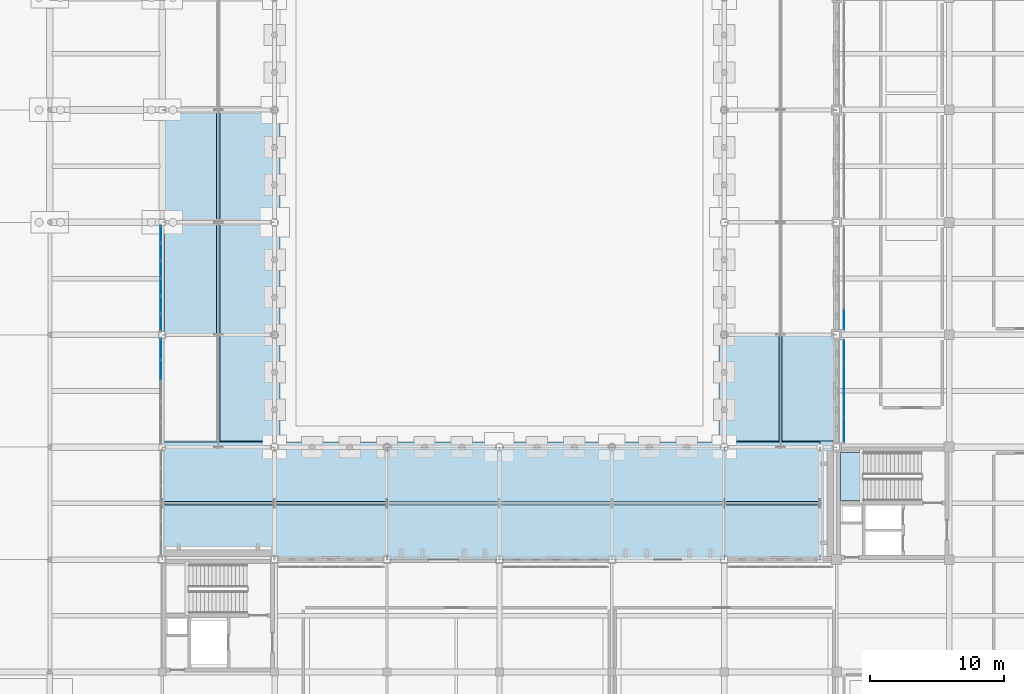
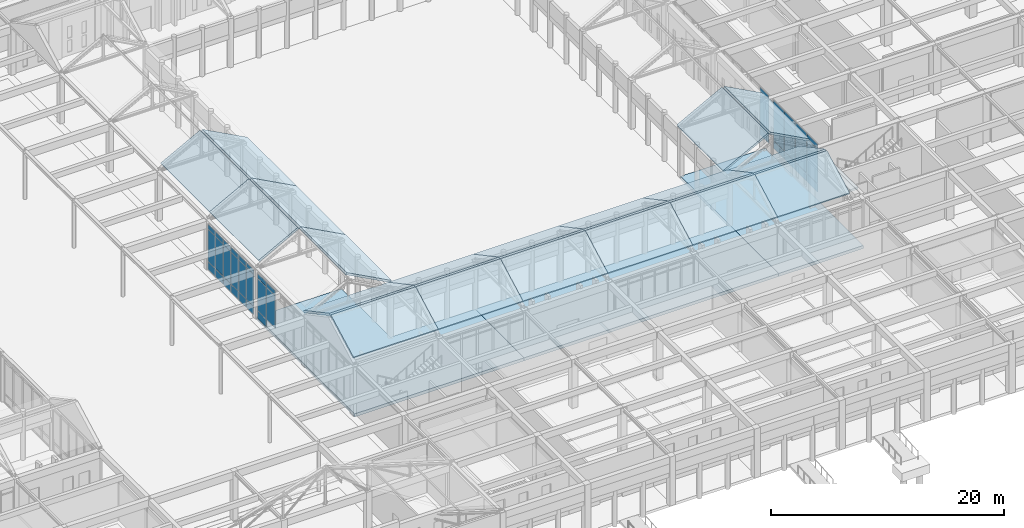
# One storey, part 74 of 143: 38 plates, 23 slabs, 5 elements without a shape of their own.
"""IFC4 building model written with IfcOpenShell, lengths in metres."""

import ifcopenshell
import ifcopenshell.guid

model = None  # the IFC model being written
_history = None  # IfcOwnerHistory: only IFC2X3 demands one
_inside = {}  # id of a spatial element -> (the spatial element, [elements in it])
_under = {}  # id of a project, library or spatial element -> (it, [spatial elements below it])
_declared = {}  # id of a project -> (the project, [libraries it declares])
_typed = {}  # id of a type object -> (the type object, [elements of that type])
_made_of = {}  # id of a material, layer set ... -> (it, [elements and type objects made of it])


def new_model(schema):
    """Start an empty IFC model of exactly this schema.

    Asked for "IFC4X3", IfcOpenShell would pick the latest addendum, in which some entities
    have other attributes; the version numbers below select the first issue.
    IFC2X3 requires an IfcOwnerHistory on every rooted entity: one is made here for all.
    """
    global model, _history
    if schema == "IFC4X3":
        model = ifcopenshell.file(schema_version=(4, 3, 0, 0))
    else:
        model = ifcopenshell.file(schema=schema)
    _inside.clear()
    _under.clear()
    _declared.clear()
    _typed.clear()
    _made_of.clear()
    _history = None
    if model.schema == "IFC2X3":
        org = make("IfcOrganization", Name="unknown")
        user = make(
            "IfcPersonAndOrganization",
            ThePerson=make("IfcPerson", FamilyName="unknown"),
            TheOrganization=org,
        )
        app = make(
            "IfcApplication",
            ApplicationDeveloper=org,
            Version="unknown",
            ApplicationFullName="unknown",
            ApplicationIdentifier="unknown",
        )
        _history = make(
            "IfcOwnerHistory",
            OwningUser=user,
            OwningApplication=app,
            ChangeAction="ADDED",
            CreationDate=0,
        )
    return model


def make(cls, **values):
    """One entity of the class cls with the attributes given. An attribute that is None is left unset."""
    return model.create_entity(
        cls, **{name: value for name, value in values.items() if value is not None}
    )


def rooted(cls, **values):
    """An entity with a GlobalId (a new one), such as an element, a storey or a relation."""
    return make(cls, GlobalId=ifcopenshell.guid.new(), OwnerHistory=_history, **values)


def si_unit(unit_type, name, prefix=None):
    """IfcSIUnit, for example si_unit("LENGTHUNIT", "METRE", prefix="MILLI")."""
    return make("IfcSIUnit", UnitType=unit_type, Prefix=prefix, Name=name)


def assignment(units):
    """IfcUnitAssignment: the units of a project."""
    return None if units is None else make("IfcUnitAssignment", Units=units)


def point(xyz):
    """IfcCartesianPoint."""
    return None if xyz is None else make("IfcCartesianPoint", Coordinates=xyz)


def direction(xyz):
    """IfcDirection."""
    return None if xyz is None else make("IfcDirection", DirectionRatios=xyz)


def frame(location, z_axis=None, x_axis=None):
    """IfcAxis2Placement3D, a coordinate frame: its origin and axes. An axis left out is left unset."""
    return make(
        "IfcAxis2Placement3D",
        Location=point(location),
        Axis=direction(z_axis),
        RefDirection=direction(x_axis),
    )


def frame_2d(location, x_axis=None):
    """IfcAxis2Placement2D, a coordinate frame in the plane: its origin and x axis."""
    return make(
        "IfcAxis2Placement2D", Location=point(location), RefDirection=direction(x_axis)
    )


def origin():
    """The frame at (0, 0, 0) with its axes left unset."""
    return frame((0.0, 0.0, 0.0))


def origin_2d():
    """The frame at (0, 0) in the plane with its x axis left unset."""
    return frame_2d((0.0, 0.0))


def place(relative_to, where):
    """IfcLocalPlacement: puts the frame where relative to a parent placement (None: the world)."""
    return make(
        "IfcLocalPlacement", PlacementRelTo=relative_to, RelativePlacement=where
    )


def context(
    kind, dimensions, precision=None, world=None, true_north=None, identifier=None
):
    """IfcGeometricRepresentationContext, for example the 3D "Model" context."""
    return make(
        "IfcGeometricRepresentationContext",
        ContextIdentifier=identifier,
        ContextType=kind,
        CoordinateSpaceDimension=dimensions,
        Precision=precision,
        WorldCoordinateSystem=world,
        TrueNorth=true_north,
    )


def subcontext(parent, identifier, kind, view, scale=None):
    """IfcGeometricRepresentationSubContext, for example "Body" below "Model"."""
    return make(
        "IfcGeometricRepresentationSubContext",
        ContextIdentifier=identifier,
        ContextType=kind,
        ParentContext=parent,
        TargetScale=scale,
        TargetView=view,
    )


def project(units=None, contexts=None):
    """IfcProject with its units and contexts."""
    return rooted(
        "IfcProject",
        Name="project",
        RepresentationContexts=contexts,
        UnitsInContext=assignment(units),
    )


def spatial(cls, under=None, at=None, **own):
    """A site, building, storey or space (cls), placed at a placement, below another one or the project."""
    s = rooted(cls, ObjectPlacement=at, **own)
    if under is not None:
        _under.setdefault(under.id(), (under, []))[1].append(s)
    return s


def polyline(points):
    """IfcPolyline through the points."""
    return make("IfcPolyline", Points=[point(p) for p in points])


def profile(cls, at=None, kind="AREA", **sizes):
    """A parametric profile (cls). Its sizes go by their IFC names, for example OverallWidth=200.0."""
    return make(cls, ProfileType=kind, Position=at, **sizes)


def rectangle(**sizes):
    """IfcRectangleProfileDef."""
    return profile("IfcRectangleProfileDef", **sizes)


def outline(outer, holes=None, kind="AREA"):
    """IfcArbitraryClosedProfileDef: a profile drawn as a closed curve; with holes, ...WithVoids."""
    if holes is None:
        return make("IfcArbitraryClosedProfileDef", ProfileType=kind, OuterCurve=outer)
    return make(
        "IfcArbitraryProfileDefWithVoids",
        ProfileType=kind,
        OuterCurve=outer,
        InnerCurves=holes,
    )


def extrude(swept, where, along, depth):
    """IfcExtrudedAreaSolid: the profile swept, set in the frame where, extruded along a direction by depth."""
    return make(
        "IfcExtrudedAreaSolid",
        SweptArea=swept,
        Position=where,
        ExtrudedDirection=direction(along),
        Depth=depth,
    )


def shape(context_of_items, identifier, shape_type, items):
    """IfcShapeRepresentation: the items that make up one representation, for example the "Body"."""
    return make(
        "IfcShapeRepresentation",
        ContextOfItems=context_of_items,
        RepresentationIdentifier=identifier,
        RepresentationType=shape_type,
        Items=items,
    )


def material(Name=None, Category=None):
    """IfcMaterial."""
    return make("IfcMaterial", Name=Name, Category=Category)


def layer(
    of_material, thickness, ventilated=None, Name=None, Category=None, Priority=None
):
    """IfcMaterialLayer: one layer of a wall or slab, of a material (None: an air gap)."""
    return make(
        "IfcMaterialLayer",
        Material=of_material,
        LayerThickness=thickness,
        IsVentilated=ventilated,
        Name=Name,
        Category=Category,
        Priority=Priority,
    )


def layer_set(layers, Name=None):
    """IfcMaterialLayerSet."""
    return make("IfcMaterialLayerSet", MaterialLayers=layers, LayerSetName=Name)


def made_of(thing, what):
    """Note that an element or type object is made of a material, layer set ...; save() writes the relation."""
    if what is not None:
        _made_of.setdefault(what.id(), (what, []))[1].append(thing)
    return thing


def type_object(cls, material=None, **own):
    """A type object (cls), such as IfcWallType, which elements share."""
    return made_of(rooted(cls, **own), material)


def element(
    cls,
    number,
    at=None,
    inside=None,
    cuts=None,
    type_object=None,
    material=None,
    context=None,
    identifier="Body",
    shape_type=None,
    held_by="IfcProductDefinitionShape",
    body=None,
    shapes=None,
    **own,
):
    """One element of the class cls, such as IfcWall. Its Tag is "e" and its number.

    at: its placement. inside: the storey or other place that contains it. cuts: it is an
    opening in that element (IfcRelVoidsElement). A single representation is given by context,
    identifier, shape_type and body (its items); several are given by shapes. held_by: the class
    of the entity that holds the representations. save() writes the other relations.
    """
    e = rooted(cls, Tag="e%d" % number, ObjectPlacement=at, **own)
    if body is not None:
        shapes = [shape(context, identifier, shape_type, body)]
    if shapes is not None:
        e.Representation = make(held_by, Representations=shapes)
    if inside is not None:
        _inside.setdefault(inside.id(), (inside, []))[1].append(e)
    if cuts is not None:
        rooted(
            "IfcRelVoidsElement", RelatingBuildingElement=cuts, RelatedOpeningElement=e
        )
    if type_object is not None:
        _typed.setdefault(type_object.id(), (type_object, []))[1].append(e)
    return made_of(e, material)


def aggregate(whole, parts):
    """IfcRelAggregates: a whole, such as a stair, and the parts it consists of."""
    return rooted("IfcRelAggregates", RelatingObject=whole, RelatedObjects=parts)


def save(model, path):
    """Write the relations noted so far, then the file.

    IfcRelAggregates (storeys below a building ...), IfcRelContainedInSpatialStructure (elements
    in a storey), IfcRelDefinesByType, IfcRelAssociatesMaterial and IfcRelDeclares: one each for
    every whole, place, type object, material and project.
    """
    for whole, parts in _under.values():
        aggregate(whole, parts)
    for where, things in _inside.values():
        rooted(
            "IfcRelContainedInSpatialStructure",
            RelatedElements=things,
            RelatingStructure=where,
        )
    for kind, things in _typed.values():
        rooted("IfcRelDefinesByType", RelatedObjects=things, RelatingType=kind)
    for what, things in _made_of.values():
        rooted("IfcRelAssociatesMaterial", RelatedObjects=things, RelatingMaterial=what)
    for by, libraries in _declared.values():
        rooted("IfcRelDeclares", RelatingContext=by, RelatedDefinitions=libraries)
    model.write(path)


model = new_model("IFC4")

# Units and contexts
model_context = context("Model", 3, precision=1e-05, world=origin(), true_north=direction((0.0, 1.0)))
body_context = subcontext(model_context, "Body", "Model", "MODEL_VIEW")
ifc_project = project(units=[si_unit("LENGTHUNIT", "METRE"), si_unit("AREAUNIT", "SQUARE_METRE"), si_unit("VOLUMEUNIT", "CUBIC_METRE"), si_unit("PLANEANGLEUNIT", "RADIAN"), si_unit("MASSUNIT", "GRAM", prefix="KILO")], contexts=[model_context])

# Site, building, storey
site_placement = place(None, origin())
site = spatial("IfcSite", under=ifc_project, at=site_placement, CompositionType="ELEMENT")
building_placement = place(site_placement, origin())
building = spatial("IfcBuilding", under=site, at=building_placement, Name="Kveldsbrygga Polytechnic", CompositionType="ELEMENT")
storey_placement = place(building_placement, origin())
storey = spatial("IfcBuildingStorey", under=building, at=storey_placement, Name="L00", CompositionType="ELEMENT", Elevation=0.0)

# Curtain wall, plates
ifc_material_1 = material(Name="Anodised aluminium AW-6060", Category="aluminium")
ifc_layer_1 = layer(ifc_material_1, 0.18994140625)
ifc_layer_set_1 = layer_set([ifc_layer_1], Name="Anodised aluminium AW-6060")
curtain_wall_type_1 = type_object("IfcCurtainWallType", Name="CW-REFC-G", PredefinedType="USERDEFINED", material=ifc_layer_set_1)
curtain_wall_1_placement = place(storey_placement, origin())
curtain_wall_1 = element("IfcCurtainWall", 1, at=curtain_wall_1_placement, inside=storey, type_object=curtain_wall_type_1, Name="Curtain Wall CW-L00-Y-09-04", ObjectType="UNITISED CURTAIN WALL", PredefinedType="USERDEFINED")
ifc_material_2 = material(Name="Insulated triple low-E glass", Category="glass")
ifc_layer_2 = layer(ifc_material_2, 0.035888671875)
ifc_layer_set_2 = layer_set([ifc_layer_2], Name="Insulated triple low-E glass")
plate_type_1 = type_object("IfcPlateType", Name="CW-PAN-VIS36", PredefinedType="CURTAIN_PANEL", material=ifc_layer_set_2)
plate_1_placement = place(storey_placement, frame((75.5, 39.368408203125, 0.93017578125), z_axis=(0.0, 0.0, 1.0), x_axis=(0.0, 1.0, 0.0)))
plate_1 = element("IfcPlate", 2, at=plate_1_placement, type_object=plate_type_1, Name="CW-07 panel 4.2", PredefinedType="CURTAIN_PANEL", context=body_context, shape_type="SweptSolid", body=[
    extrude(rectangle(XDim=1.506103515625, YDim=0.035888671875, at=origin_2d()), origin(), (0.0, 0.0, 1.0), 3.320068359375),
])
plate_2_placement = place(storey_placement, frame((75.5, 39.368408203125, 4.31005859375), z_axis=(0.0, 0.0, 1.0), x_axis=(0.0, 1.0, 0.0)))
plate_2 = element("IfcPlate", 3, at=plate_2_placement, type_object=plate_type_1, Name="CW-07 panel 4.3", PredefinedType="CURTAIN_PANEL", context=body_context, shape_type="SweptSolid", body=[
    extrude(rectangle(XDim=1.506103515625, YDim=0.035888671875, at=origin_2d()), origin(), (0.0, 0.0, 1.0), 0.4599609375),
])
plate_3_placement = place(storey_placement, frame((75.5, 40.9306640625, 0.06005859375), z_axis=(0.0, 0.0, 1.0), x_axis=(0.0, 1.0, 0.0)))
plate_3 = element("IfcPlate", 4, at=plate_3_placement, type_object=plate_type_1, Name="CW-07 panel 5.1", PredefinedType="CURTAIN_PANEL", context=body_context, shape_type="SweptSolid", body=[
    extrude(rectangle(XDim=1.468505859375, YDim=0.035888671875, at=origin_2d()), origin(), (0.0, 0.0, 1.0), 0.81005859375),
])
plate_4_placement = place(storey_placement, frame((75.5, 40.9306640625, 0.93017578125), z_axis=(0.0, 0.0, 1.0), x_axis=(0.0, 1.0, 0.0)))
plate_4 = element("IfcPlate", 5, at=plate_4_placement, type_object=plate_type_1, Name="CW-07 panel 5.2", PredefinedType="CURTAIN_PANEL", context=body_context, shape_type="SweptSolid", body=[
    extrude(rectangle(XDim=1.468505859375, YDim=0.035888671875, at=origin_2d()), origin(), (0.0, 0.0, 1.0), 3.320068359375),
])
plate_5_placement = place(storey_placement, frame((75.5, 40.9306640625, 4.31005859375), z_axis=(0.0, 0.0, 1.0), x_axis=(0.0, 1.0, 0.0)))
plate_5 = element("IfcPlate", 6, at=plate_5_placement, type_object=plate_type_1, Name="CW-07 panel 5.3", PredefinedType="CURTAIN_PANEL", context=body_context, shape_type="SweptSolid", body=[
    extrude(rectangle(XDim=1.468505859375, YDim=0.035888671875, at=origin_2d()), origin(), (0.0, 0.0, 1.0), 0.4599609375),
])
aggregate(curtain_wall_1, [plate_1, plate_2, plate_3, plate_4, plate_5])

ifc_layer_3 = layer(ifc_material_1, 0.2099609375)
ifc_layer_set_3 = layer_set([ifc_layer_3], Name="Anodised aluminium AW-6060")
curtain_wall_type_2 = type_object("IfcCurtainWallType", Name="CW-LIBR-H", PredefinedType="USERDEFINED", material=ifc_layer_set_3)
curtain_wall_2_placement = place(storey_placement, origin())
curtain_wall_2 = element("IfcCurtainWall", 7, at=curtain_wall_2_placement, inside=storey, type_object=curtain_wall_type_2, Name="Curtain Wall CW-L00-Y-09-05", ObjectType="UNITISED CURTAIN WALL", PredefinedType="USERDEFINED")
ifc_layer_4 = layer(ifc_material_2, 0.0419921875)
ifc_layer_set_4 = layer_set([ifc_layer_4], Name="Insulated triple low-E glass")
plate_type_2 = type_object("IfcPlateType", Name="CW-PAN-VIS42", PredefinedType="CURTAIN_PANEL", material=ifc_layer_set_4)
plate_6_placement = place(storey_placement, frame((75.5, 42.938232421875, 0.06005859375), z_axis=(0.0, 0.0, 1.0), x_axis=(0.0, 1.0, 0.0)))
plate_6 = element("IfcPlate", 8, at=plate_6_placement, type_object=plate_type_2, Name="CW-08 panel 1.1", PredefinedType="CURTAIN_PANEL", context=body_context, shape_type="SweptSolid", body=[
    extrude(rectangle(XDim=1.206787109375, YDim=0.0419921875, at=origin_2d()), origin(), (0.0, 0.0, 1.0), 0.81005859375),
])
plate_7_placement = place(storey_placement, frame((75.5, 42.938232421875, 0.93017578125), z_axis=(0.0, 0.0, 1.0), x_axis=(0.0, 1.0, 0.0)))
plate_7 = element("IfcPlate", 9, at=plate_7_placement, type_object=plate_type_2, Name="CW-08 panel 1.2", PredefinedType="CURTAIN_PANEL", context=body_context, shape_type="SweptSolid", body=[
    extrude(rectangle(XDim=1.206787109375, YDim=0.0419921875, at=origin_2d()), origin(), (0.0, 0.0, 1.0), 3.320068359375),
])
plate_8_placement = place(storey_placement, frame((75.5, 42.938232421875, 4.31005859375), z_axis=(0.0, 0.0, 1.0), x_axis=(0.0, 1.0, 0.0)))
plate_8 = element("IfcPlate", 10, at=plate_8_placement, type_object=plate_type_2, Name="CW-08 panel 1.3", PredefinedType="CURTAIN_PANEL", context=body_context, shape_type="SweptSolid", body=[
    extrude(rectangle(XDim=1.206787109375, YDim=0.0419921875, at=origin_2d()), origin(), (0.0, 0.0, 1.0), 0.4599609375),
])
plate_9_placement = place(storey_placement, frame((75.5, 44.23876953125, 0.06005859375), z_axis=(0.0, 0.0, 1.0), x_axis=(0.0, 1.0, 0.0)))
plate_9 = element("IfcPlate", 11, at=plate_9_placement, type_object=plate_type_2, Name="CW-08 panel 2.1", PredefinedType="CURTAIN_PANEL", context=body_context, shape_type="SweptSolid", body=[
    extrude(rectangle(XDim=1.244140625, YDim=0.0419921875, at=origin_2d()), origin(), (0.0, 0.0, 1.0), 0.81005859375),
])
plate_10_placement = place(storey_placement, frame((75.5, 44.23876953125, 0.93017578125), z_axis=(0.0, 0.0, 1.0), x_axis=(0.0, 1.0, 0.0)))
plate_10 = element("IfcPlate", 12, at=plate_10_placement, type_object=plate_type_2, Name="CW-08 panel 2.2", PredefinedType="CURTAIN_PANEL", context=body_context, shape_type="SweptSolid", body=[
    extrude(rectangle(XDim=1.244140625, YDim=0.0419921875, at=origin_2d()), origin(), (0.0, 0.0, 1.0), 3.320068359375),
])
plate_11_placement = place(storey_placement, frame((75.5, 44.23876953125, 4.31005859375), z_axis=(0.0, 0.0, 1.0), x_axis=(0.0, 1.0, 0.0)))
plate_11 = element("IfcPlate", 13, at=plate_11_placement, type_object=plate_type_2, Name="CW-08 panel 2.3", PredefinedType="CURTAIN_PANEL", context=body_context, shape_type="SweptSolid", body=[
    extrude(rectangle(XDim=1.244140625, YDim=0.0419921875, at=origin_2d()), origin(), (0.0, 0.0, 1.0), 0.4599609375),
])
plate_12_placement = place(storey_placement, frame((75.5, 45.557861328125, 0.06005859375), z_axis=(0.0, 0.0, 1.0), x_axis=(0.0, 1.0, 0.0)))
plate_12 = element("IfcPlate", 14, at=plate_12_placement, type_object=plate_type_2, Name="CW-08 panel 3.1", PredefinedType="CURTAIN_PANEL", context=body_context, shape_type="SweptSolid", body=[
    extrude(rectangle(XDim=1.244140625, YDim=0.0419921875, at=origin_2d()), origin(), (0.0, 0.0, 1.0), 0.81005859375),
])
plate_13_placement = place(storey_placement, frame((75.5, 45.557861328125, 0.93017578125), z_axis=(0.0, 0.0, 1.0), x_axis=(0.0, 1.0, 0.0)))
plate_13 = element("IfcPlate", 15, at=plate_13_placement, type_object=plate_type_2, Name="CW-08 panel 3.2", PredefinedType="CURTAIN_PANEL", context=body_context, shape_type="SweptSolid", body=[
    extrude(rectangle(XDim=1.244140625, YDim=0.0419921875, at=origin_2d()), origin(), (0.0, 0.0, 1.0), 3.320068359375),
])
plate_14_placement = place(storey_placement, frame((75.5, 45.557861328125, 4.31005859375), z_axis=(0.0, 0.0, 1.0), x_axis=(0.0, 1.0, 0.0)))
plate_14 = element("IfcPlate", 16, at=plate_14_placement, type_object=plate_type_2, Name="CW-08 panel 3.3", PredefinedType="CURTAIN_PANEL", context=body_context, shape_type="SweptSolid", body=[
    extrude(rectangle(XDim=1.244140625, YDim=0.0419921875, at=origin_2d()), origin(), (0.0, 0.0, 1.0), 0.4599609375),
])
plate_15_placement = place(storey_placement, frame((75.5, 46.877197265625, 0.06005859375), z_axis=(0.0, 0.0, 1.0), x_axis=(0.0, 1.0, 0.0)))
plate_15 = element("IfcPlate", 17, at=plate_15_placement, type_object=plate_type_2, Name="CW-08 panel 4.1", PredefinedType="CURTAIN_PANEL", context=body_context, shape_type="SweptSolid", body=[
    extrude(rectangle(XDim=1.244140625, YDim=0.0419921875, at=origin_2d()), origin(), (0.0, 0.0, 1.0), 0.81005859375),
])
plate_16_placement = place(storey_placement, frame((75.5, 46.877197265625, 0.93017578125), z_axis=(0.0, 0.0, 1.0), x_axis=(0.0, 1.0, 0.0)))
plate_16 = element("IfcPlate", 18, at=plate_16_placement, type_object=plate_type_2, Name="CW-08 panel 4.2", PredefinedType="CURTAIN_PANEL", context=body_context, shape_type="SweptSolid", body=[
    extrude(rectangle(XDim=1.244140625, YDim=0.0419921875, at=origin_2d()), origin(), (0.0, 0.0, 1.0), 3.320068359375),
])
plate_17_placement = place(storey_placement, frame((75.5, 46.877197265625, 4.31005859375), z_axis=(0.0, 0.0, 1.0), x_axis=(0.0, 1.0, 0.0)))
plate_17 = element("IfcPlate", 19, at=plate_17_placement, type_object=plate_type_2, Name="CW-08 panel 4.3", PredefinedType="CURTAIN_PANEL", context=body_context, shape_type="SweptSolid", body=[
    extrude(rectangle(XDim=1.244140625, YDim=0.0419921875, at=origin_2d()), origin(), (0.0, 0.0, 1.0), 0.4599609375),
])
plate_18_placement = place(storey_placement, frame((75.5, 48.1962890625, 0.06005859375), z_axis=(0.0, 0.0, 1.0), x_axis=(0.0, 1.0, 0.0)))
plate_18 = element("IfcPlate", 20, at=plate_18_placement, type_object=plate_type_2, Name="CW-08 panel 5.1", PredefinedType="CURTAIN_PANEL", context=body_context, shape_type="SweptSolid", body=[
    extrude(rectangle(XDim=1.244140625, YDim=0.0419921875, at=origin_2d()), origin(), (0.0, 0.0, 1.0), 0.81005859375),
])
plate_19_placement = place(storey_placement, frame((75.5, 48.1962890625, 0.93017578125), z_axis=(0.0, 0.0, 1.0), x_axis=(0.0, 1.0, 0.0)))
plate_19 = element("IfcPlate", 21, at=plate_19_placement, type_object=plate_type_2, Name="CW-08 panel 5.2", PredefinedType="CURTAIN_PANEL", context=body_context, shape_type="SweptSolid", body=[
    extrude(rectangle(XDim=1.244140625, YDim=0.0419921875, at=origin_2d()), origin(), (0.0, 0.0, 1.0), 3.320068359375),
])
plate_20_placement = place(storey_placement, frame((75.5, 48.1962890625, 4.31005859375), z_axis=(0.0, 0.0, 1.0), x_axis=(0.0, 1.0, 0.0)))
plate_20 = element("IfcPlate", 22, at=plate_20_placement, type_object=plate_type_2, Name="CW-08 panel 5.3", PredefinedType="CURTAIN_PANEL", context=body_context, shape_type="SweptSolid", body=[
    extrude(rectangle(XDim=1.244140625, YDim=0.0419921875, at=origin_2d()), origin(), (0.0, 0.0, 1.0), 0.4599609375),
])
plate_21_placement = place(storey_placement, frame((75.5, 49.49658203125, 0.06005859375), z_axis=(0.0, 0.0, 1.0), x_axis=(0.0, 1.0, 0.0)))
plate_21 = element("IfcPlate", 23, at=plate_21_placement, type_object=plate_type_2, Name="CW-08 panel 6.1", PredefinedType="CURTAIN_PANEL", context=body_context, shape_type="SweptSolid", body=[
    extrude(rectangle(XDim=1.206787109375, YDim=0.0419921875, at=origin_2d()), origin(), (0.0, 0.0, 1.0), 0.81005859375),
])
plate_22_placement = place(storey_placement, frame((75.5, 49.49658203125, 0.93017578125), z_axis=(0.0, 0.0, 1.0), x_axis=(0.0, 1.0, 0.0)))
plate_22 = element("IfcPlate", 24, at=plate_22_placement, type_object=plate_type_2, Name="CW-08 panel 6.2", PredefinedType="CURTAIN_PANEL", context=body_context, shape_type="SweptSolid", body=[
    extrude(rectangle(XDim=1.206787109375, YDim=0.0419921875, at=origin_2d()), origin(), (0.0, 0.0, 1.0), 3.320068359375),
])
plate_23_placement = place(storey_placement, frame((75.5, 49.49658203125, 4.31005859375), z_axis=(0.0, 0.0, 1.0), x_axis=(0.0, 1.0, 0.0)))
plate_23 = element("IfcPlate", 25, at=plate_23_placement, type_object=plate_type_2, Name="CW-08 panel 6.3", PredefinedType="CURTAIN_PANEL", context=body_context, shape_type="SweptSolid", body=[
    extrude(rectangle(XDim=1.206787109375, YDim=0.0419921875, at=origin_2d()), origin(), (0.0, 0.0, 1.0), 0.4599609375),
])
aggregate(curtain_wall_2, [plate_6, plate_7, plate_8, plate_9, plate_10, plate_11, plate_12, plate_13, plate_14, plate_15, plate_16, plate_17, plate_18, plate_19, plate_20, plate_21, plate_22, plate_23])

ifc_layer_5 = layer(ifc_material_1, 0.199951171875)
ifc_layer_set_5 = layer_set([ifc_layer_5], Name="Anodised aluminium AW-6060")
curtain_wall_type_3 = type_object("IfcCurtainWallType", Name="CW-LANC-E", PredefinedType="USERDEFINED", material=ifc_layer_set_5)
curtain_wall_3_placement = place(storey_placement, origin())
curtain_wall_3 = element("IfcCurtainWall", 26, at=curtain_wall_3_placement, inside=storey, type_object=curtain_wall_type_3, Name="Curtain Wall CW-L00-Y-15-04", ObjectType="UNITISED CURTAIN WALL", PredefinedType="USERDEFINED")
plate_24_placement = place(storey_placement, frame((126.550048828125, 34.921875, 0.06005859375), z_axis=(0.0, 0.0, 1.0), x_axis=(0.0, 1.0, 0.0)))
plate_24 = element("IfcPlate", 27, at=plate_24_placement, type_object=plate_type_2, Name="CW-05 panel 1.1", PredefinedType="CURTAIN_PANEL", context=body_context, shape_type="SweptSolid", body=[
    extrude(rectangle(XDim=1.833740234375, YDim=0.0419921875, at=origin_2d()), origin(), (0.0, 0.0, 1.0), 0.81005859375),
])
plate_25_placement = place(storey_placement, frame((126.550048828125, 34.921875, 0.93017578125), z_axis=(0.0, 0.0, 1.0), x_axis=(0.0, 1.0, 0.0)))
plate_25 = element("IfcPlate", 28, at=plate_25_placement, type_object=plate_type_2, Name="CW-05 panel 1.2", PredefinedType="CURTAIN_PANEL", context=body_context, shape_type="SweptSolid", body=[
    extrude(rectangle(XDim=1.833740234375, YDim=0.0419921875, at=origin_2d()), origin(), (0.0, 0.0, 1.0), 3.6298828125),
])
plate_26_placement = place(storey_placement, frame((126.550048828125, 34.921875, 4.6201171875), z_axis=(0.0, 0.0, 1.0), x_axis=(0.0, 1.0, 0.0)))
plate_26 = element("IfcPlate", 29, at=plate_26_placement, type_object=plate_type_2, Name="CW-05 panel 1.3", PredefinedType="CURTAIN_PANEL", context=body_context, shape_type="SweptSolid", body=[
    extrude(rectangle(XDim=1.833740234375, YDim=0.0419921875, at=origin_2d()), origin(), (0.0, 0.0, 1.0), 0.4599609375),
])
plate_27_placement = place(storey_placement, frame((126.550048828125, 36.83056640625, 0.06005859375), z_axis=(0.0, 0.0, 1.0), x_axis=(0.0, 1.0, 0.0)))
plate_27 = element("IfcPlate", 30, at=plate_27_placement, type_object=plate_type_2, Name="CW-05 panel 2.1", PredefinedType="CURTAIN_PANEL", context=body_context, shape_type="SweptSolid", body=[
    extrude(rectangle(XDim=1.86376953125, YDim=0.0419921875, at=origin_2d()), origin(), (0.0, 0.0, 1.0), 0.81005859375),
])
plate_28_placement = place(storey_placement, frame((126.550048828125, 36.83056640625, 0.93017578125), z_axis=(0.0, 0.0, 1.0), x_axis=(0.0, 1.0, 0.0)))
plate_28 = element("IfcPlate", 31, at=plate_28_placement, type_object=plate_type_2, Name="CW-05 panel 2.2", PredefinedType="CURTAIN_PANEL", context=body_context, shape_type="SweptSolid", body=[
    extrude(rectangle(XDim=1.86376953125, YDim=0.0419921875, at=origin_2d()), origin(), (0.0, 0.0, 1.0), 3.6298828125),
])
plate_29_placement = place(storey_placement, frame((126.550048828125, 36.83056640625, 4.6201171875), z_axis=(0.0, 0.0, 1.0), x_axis=(0.0, 1.0, 0.0)))
plate_29 = element("IfcPlate", 32, at=plate_29_placement, type_object=plate_type_2, Name="CW-05 panel 2.3", PredefinedType="CURTAIN_PANEL", context=body_context, shape_type="SweptSolid", body=[
    extrude(rectangle(XDim=1.86376953125, YDim=0.0419921875, at=origin_2d()), origin(), (0.0, 0.0, 1.0), 0.4599609375),
])
plate_30_placement = place(storey_placement, frame((126.550048828125, 38.75439453125, 0.06005859375), z_axis=(0.0, 0.0, 1.0), x_axis=(0.0, 1.0, 0.0)))
plate_30 = element("IfcPlate", 33, at=plate_30_placement, type_object=plate_type_2, Name="CW-05 panel 3.1", PredefinedType="CURTAIN_PANEL", context=body_context, shape_type="SweptSolid", body=[
    extrude(rectangle(XDim=1.86376953125, YDim=0.0419921875, at=origin_2d()), origin(), (0.0, 0.0, 1.0), 0.81005859375),
])
plate_31_placement = place(storey_placement, frame((126.550048828125, 38.75439453125, 0.93017578125), z_axis=(0.0, 0.0, 1.0), x_axis=(0.0, 1.0, 0.0)))
plate_31 = element("IfcPlate", 34, at=plate_31_placement, type_object=plate_type_2, Name="CW-05 panel 3.2", PredefinedType="CURTAIN_PANEL", context=body_context, shape_type="SweptSolid", body=[
    extrude(rectangle(XDim=1.86376953125, YDim=0.0419921875, at=origin_2d()), origin(), (0.0, 0.0, 1.0), 3.6298828125),
])
plate_32_placement = place(storey_placement, frame((126.550048828125, 38.75439453125, 4.6201171875), z_axis=(0.0, 0.0, 1.0), x_axis=(0.0, 1.0, 0.0)))
plate_32 = element("IfcPlate", 35, at=plate_32_placement, type_object=plate_type_2, Name="CW-05 panel 3.3", PredefinedType="CURTAIN_PANEL", context=body_context, shape_type="SweptSolid", body=[
    extrude(rectangle(XDim=1.86376953125, YDim=0.0419921875, at=origin_2d()), origin(), (0.0, 0.0, 1.0), 0.4599609375),
])
plate_33_placement = place(storey_placement, frame((126.550048828125, 40.6630859375, 0.06005859375), z_axis=(0.0, 0.0, 1.0), x_axis=(0.0, 1.0, 0.0)))
plate_33 = element("IfcPlate", 36, at=plate_33_placement, type_object=plate_type_2, Name="CW-05 panel 4.1", PredefinedType="CURTAIN_PANEL", context=body_context, shape_type="SweptSolid", body=[
    extrude(rectangle(XDim=1.833740234375, YDim=0.0419921875, at=origin_2d()), origin(), (0.0, 0.0, 1.0), 0.81005859375),
])
plate_34_placement = place(storey_placement, frame((126.550048828125, 40.6630859375, 0.93017578125), z_axis=(0.0, 0.0, 1.0), x_axis=(0.0, 1.0, 0.0)))
plate_34 = element("IfcPlate", 37, at=plate_34_placement, type_object=plate_type_2, Name="CW-05 panel 4.2", PredefinedType="CURTAIN_PANEL", context=body_context, shape_type="SweptSolid", body=[
    extrude(rectangle(XDim=1.833740234375, YDim=0.0419921875, at=origin_2d()), origin(), (0.0, 0.0, 1.0), 3.6298828125),
])
plate_35_placement = place(storey_placement, frame((126.550048828125, 40.6630859375, 4.6201171875), z_axis=(0.0, 0.0, 1.0), x_axis=(0.0, 1.0, 0.0)))
plate_35 = element("IfcPlate", 38, at=plate_35_placement, type_object=plate_type_2, Name="CW-05 panel 4.3", PredefinedType="CURTAIN_PANEL", context=body_context, shape_type="SweptSolid", body=[
    extrude(rectangle(XDim=1.833740234375, YDim=0.0419921875, at=origin_2d()), origin(), (0.0, 0.0, 1.0), 0.4599609375),
])
aggregate(curtain_wall_3, [plate_24, plate_25, plate_26, plate_27, plate_28, plate_29, plate_30, plate_31, plate_32, plate_33, plate_34, plate_35])

ifc_layer_6 = layer(ifc_material_1, 0.169921875)
ifc_layer_set_6 = layer_set([ifc_layer_6], Name="Anodised aluminium AW-6060")
curtain_wall_type_4 = type_object("IfcCurtainWallType", Name="CW-FOYR-F", PredefinedType="USERDEFINED", material=ifc_layer_set_6)
curtain_wall_4_placement = place(storey_placement, origin())
curtain_wall_4 = element("IfcCurtainWall", 39, at=curtain_wall_4_placement, inside=storey, type_object=curtain_wall_type_4, Name="Curtain Wall CW-L00-Y-15-05", ObjectType="STICK CURTAIN WALL", PredefinedType="USERDEFINED")
ifc_layer_7 = layer(ifc_material_2, 0.048095703125)
ifc_layer_set_7 = layer_set([ifc_layer_7], Name="Insulated triple low-E glass")
plate_type_3 = type_object("IfcPlateType", Name="CW-PAN-VIS48", PredefinedType="CURTAIN_PANEL", material=ifc_layer_set_7)
plate_36_placement = place(storey_placement, frame((126.550048828125, 43.14453125, 0.074951171875), z_axis=(0.0, 0.0, 1.0), x_axis=(0.0, 1.0, 0.0)))
plate_36 = element("IfcPlate", 40, at=plate_36_placement, type_object=plate_type_3, Name="CW-06 panel 1.1", PredefinedType="CURTAIN_PANEL", context=body_context, shape_type="SweptSolid", body=[
    extrude(rectangle(XDim=1.448974609375, YDim=0.048095703125, at=origin_2d()), origin(), (0.0, 0.0, 1.0), 0.78759765625),
])
plate_37_placement = place(storey_placement, frame((126.550048828125, 43.14453125, 0.9375), z_axis=(0.0, 0.0, 1.0), x_axis=(0.0, 1.0, 0.0)))
plate_37 = element("IfcPlate", 41, at=plate_37_placement, type_object=plate_type_3, Name="CW-06 panel 1.2", PredefinedType="CURTAIN_PANEL", context=body_context, shape_type="SweptSolid", body=[
    extrude(rectangle(XDim=1.448974609375, YDim=0.048095703125, at=origin_2d()), origin(), (0.0, 0.0, 1.0), 3.614990234375),
])
plate_38_placement = place(storey_placement, frame((126.550048828125, 43.14453125, 4.62744140625), z_axis=(0.0, 0.0, 1.0), x_axis=(0.0, 1.0, 0.0)))
plate_38 = element("IfcPlate", 42, at=plate_38_placement, type_object=plate_type_3, Name="CW-06 panel 1.3", PredefinedType="CURTAIN_PANEL", context=body_context, shape_type="SweptSolid", body=[
    extrude(rectangle(XDim=1.448974609375, YDim=0.048095703125, at=origin_2d()), origin(), (0.0, 0.0, 1.0), 0.4375),
])
aggregate(curtain_wall_4, [plate_36, plate_37, plate_38])

# Slabs
ifc_material_3 = material(Name="Concrete C35/45", Category="concrete")
ifc_layer_8 = layer(ifc_material_3, 0.320068359375)
ifc_layer_set_8 = layer_set([ifc_layer_8], Name="Concrete C35/45")
slab_type_1 = type_object("IfcSlabType", Name="SLB-GND-320", PredefinedType="FLOOR", material=ifc_layer_set_8)
slab_1_placement = place(storey_placement, frame((0.0, 0.0, -0.320068359375)))
element("IfcSlab", 43, at=slab_1_placement, inside=storey, type_object=slab_type_1, Name="Slab SLB-L00-V5-ARC-L02-1", PredefinedType="FLOOR", context=body_context, shape_type="SweptSolid", body=[
    extrude(outline(polyline([(75.60009765625, 25.199951171875), (75.60009765625, 33.60009765625), (75.60009765625, 42.0), (84.0, 42.0), (84.0, 33.60009765625), (92.39990234375, 33.60009765625), (92.39990234375, 25.199951171875), (84.0, 25.199951171875), (75.60009765625, 25.199951171875)])), origin(), (0.0, 0.0, 1.0), 0.320068359375),
])
slab_2_placement = place(storey_placement, frame((0.0, 0.0, -0.320068359375)))
element("IfcSlab", 44, at=slab_2_placement, inside=storey, type_object=slab_type_1, Name="Slab SLB-L00-V5-ARC-Z2-1", PredefinedType="FLOOR", context=body_context, shape_type="SweptSolid", body=[
    extrude(outline(polyline([(92.39990234375, 25.199951171875), (92.39990234375, 33.60009765625), (100.800048828125, 33.60009765625), (109.199951171875, 33.60009765625), (117.60009765625, 33.60009765625), (117.60009765625, 25.199951171875), (109.199951171875, 25.199951171875), (100.800048828125, 25.199951171875), (92.39990234375, 25.199951171875)])), origin(), (0.0, 0.0, 1.0), 0.320068359375),
])
slab_3_placement = place(storey_placement, frame((0.0, 0.0, -0.320068359375)))
element("IfcSlab", 45, at=slab_3_placement, inside=storey, type_object=slab_type_1, Name="Slab SLB-L00-V5-ARC-Z3-1", PredefinedType="FLOOR", context=body_context, shape_type="SweptSolid", body=[
    extrude(outline(polyline([(126.0, 25.199951171875), (117.60009765625, 25.199951171875), (117.60009765625, 33.60009765625), (117.60009765625, 42.0), (126.0, 42.0), (126.0, 33.60009765625), (126.0, 25.199951171875)])), origin(), (0.0, 0.0, 1.0), 0.320068359375),
])

# Stair, slab
stair_type = type_object("IfcStairType", Name="STR-CORE-544", PredefinedType="HALF_TURN_STAIR", material=ifc_material_3)
stair_placement = place(storey_placement, origin())
stair = element("IfcStair", 46, at=stair_placement, inside=storey, type_object=stair_type, Name="L00 Core C1 Escape Stair ST-1", PredefinedType="HALF_TURN_STAIR")
ifc_layer_9 = layer(ifc_material_3, 0.199951171875)
ifc_layer_set_9 = layer_set([ifc_layer_9], Name="Concrete C35/45")
slab_type_2 = type_object("IfcSlabType", Name="SLB-LANDING-200", PredefinedType="LANDING", material=ifc_layer_set_9)
slab_4_placement = place(storey_placement, frame((0.0, 0.0, 2.52001953125)))
slab_4 = element("IfcSlab", 47, at=slab_4_placement, type_object=slab_type_2, Name="ST-1 landing 1", PredefinedType="LANDING", context=body_context, shape_type="SweptSolid", body=[
    extrude(outline(polyline([(128.0, 33.199951171875), (126.300048828125, 33.199951171875), (126.300048828125, 29.60009765625), (128.0, 29.60009765625), (128.0, 33.199951171875)])), origin(), (0.0, 0.0, 1.0), 0.199951171875),
])
aggregate(stair, [slab_4])

# Slabs
ifc_layer_10 = layer(ifc_material_3, 0.219970703125)
ifc_layer_set_10 = layer_set([ifc_layer_10], Name="Concrete C35/45")
slab_type_3 = type_object("IfcSlabType", Name="SLB-ROOF-220", PredefinedType="ROOF", material=ifc_layer_set_10)
slab_5_placement = place(storey_placement, frame((75.60009765625, 25.3798828125, 5.83203125), z_axis=(0.0, -0.472201486297, 0.881490644499), x_axis=(1.0, 0.0, 0.0)))
element("IfcSlab", 48, at=slab_5_placement, inside=storey, type_object=slab_type_3, Name="Pitched Roof Slab ARC-ES-RSLB-1-1", PredefinedType="ROOF", context=body_context, shape_type="SweptSolid", body=[
    extrude(outline(polyline([(0.0, 0.0), (8.39990234375, 0.0), (8.39990234375, 4.420058520973962), (0.0, 4.420058520973962), (0.0, 0.0)])), origin(), (0.0, 0.0, -1.0), 0.219970703125),
])
slab_6_placement = place(storey_placement, frame((75.60009765625, 29.52392578125, 7.919189453125), z_axis=(0.0, 0.472229417678, 0.881475681502), x_axis=(1.0, 0.0, 0.0)))
element("IfcSlab", 49, at=slab_6_placement, inside=storey, type_object=slab_type_3, Name="Pitched Roof Slab ARC-ES-RSLB-1-2", PredefinedType="ROOF", context=body_context, shape_type="SweptSolid", body=[
    extrude(outline(polyline([(0.0, 0.0), (8.39990234375, 0.0), (8.39990234375, 5.077932735618123), (0.0, 5.077932735618123), (0.0, 0.0)])), origin(), (0.0, 0.0, -1.0), 0.219970703125),
])
slab_7_placement = place(storey_placement, frame((84.0, 25.3798828125, 5.83203125), z_axis=(0.0, -0.472201486297, 0.881490644499), x_axis=(1.0, 0.0, 0.0)))
element("IfcSlab", 50, at=slab_7_placement, inside=storey, type_object=slab_type_3, Name="Pitched Roof Slab ARC-ES-RSLB-2-1", PredefinedType="ROOF", context=body_context, shape_type="SweptSolid", body=[
    extrude(outline(polyline([(0.0, 0.0), (8.39990234375, 0.0), (8.39990234375, 4.420058520973962), (0.0, 4.420058520973962), (0.0, 0.0)])), origin(), (0.0, 0.0, -1.0), 0.219970703125),
])
slab_8_placement = place(storey_placement, frame((84.0, 29.52392578125, 7.919189453125), z_axis=(0.0, 0.472229417678, 0.881475681502), x_axis=(1.0, 0.0, 0.0)))
element("IfcSlab", 51, at=slab_8_placement, inside=storey, type_object=slab_type_3, Name="Pitched Roof Slab ARC-ES-RSLB-2-2", PredefinedType="ROOF", context=body_context, shape_type="SweptSolid", body=[
    extrude(outline(polyline([(0.0, 0.0), (8.39990234375, 0.0), (8.39990234375, 5.077932735618123), (0.0, 5.077932735618123), (0.0, 0.0)])), origin(), (0.0, 0.0, -1.0), 0.219970703125),
])
slab_9_placement = place(storey_placement, frame((92.39990234375, 25.3798828125, 5.83203125), z_axis=(0.0, -0.472201486297, 0.881490644499), x_axis=(1.0, 0.0, 0.0)))
element("IfcSlab", 52, at=slab_9_placement, inside=storey, type_object=slab_type_3, Name="Pitched Roof Slab ARC-ES-RSLB-3-1", PredefinedType="ROOF", context=body_context, shape_type="SweptSolid", body=[
    extrude(outline(polyline([(0.0, 0.0), (8.400146484375, 0.0), (8.400146484375, 4.420058520973962), (0.0, 4.420058520973962), (0.0, 0.0)])), origin(), (0.0, 0.0, -1.0), 0.219970703125),
])
slab_10_placement = place(storey_placement, frame((92.39990234375, 29.52392578125, 7.919189453125), z_axis=(0.0, 0.472229417678, 0.881475681502), x_axis=(1.0, 0.0, 0.0)))
element("IfcSlab", 53, at=slab_10_placement, inside=storey, type_object=slab_type_3, Name="Pitched Roof Slab ARC-ES-RSLB-3-2", PredefinedType="ROOF", context=body_context, shape_type="SweptSolid", body=[
    extrude(outline(polyline([(0.0, 0.0), (8.400146484375, 0.0), (8.400146484375, 5.077932735618123), (0.0, 5.077932735618123), (0.0, 0.0)])), origin(), (0.0, 0.0, -1.0), 0.219970703125),
])
slab_11_placement = place(storey_placement, frame((100.800048828125, 25.3798828125, 5.83203125), z_axis=(0.0, -0.472201486297, 0.881490644499), x_axis=(1.0, 0.0, 0.0)))
element("IfcSlab", 54, at=slab_11_placement, inside=storey, type_object=slab_type_3, Name="Pitched Roof Slab ARC-ES-RSLB-4-1", PredefinedType="ROOF", context=body_context, shape_type="SweptSolid", body=[
    extrude(outline(polyline([(0.0, 0.0), (8.39990234375, 0.0), (8.39990234375, 4.420058520973962), (0.0, 4.420058520973962), (0.0, 0.0)])), origin(), (0.0, 0.0, -1.0), 0.219970703125),
])
slab_12_placement = place(storey_placement, frame((100.800048828125, 29.52392578125, 7.919189453125), z_axis=(0.0, 0.472229417678, 0.881475681502), x_axis=(1.0, 0.0, 0.0)))
element("IfcSlab", 55, at=slab_12_placement, inside=storey, type_object=slab_type_3, Name="Pitched Roof Slab ARC-ES-RSLB-4-2", PredefinedType="ROOF", context=body_context, shape_type="SweptSolid", body=[
    extrude(outline(polyline([(0.0, 0.0), (8.39990234375, 0.0), (8.39990234375, 5.077932735618123), (0.0, 5.077932735618123), (0.0, 0.0)])), origin(), (0.0, 0.0, -1.0), 0.219970703125),
])
slab_13_placement = place(storey_placement, frame((109.199951171875, 25.3798828125, 5.83203125), z_axis=(0.0, -0.472201486297, 0.881490644499), x_axis=(1.0, 0.0, 0.0)))
element("IfcSlab", 56, at=slab_13_placement, inside=storey, type_object=slab_type_3, Name="Pitched Roof Slab ARC-ES-RSLB-5-1", PredefinedType="ROOF", context=body_context, shape_type="SweptSolid", body=[
    extrude(outline(polyline([(0.0, 0.0), (8.400146484375, 0.0), (8.400146484375, 4.420058520973962), (0.0, 4.420058520973962), (0.0, 0.0)])), origin(), (0.0, 0.0, -1.0), 0.219970703125),
])
slab_14_placement = place(storey_placement, frame((109.199951171875, 29.52392578125, 7.919189453125), z_axis=(0.0, 0.472229417678, 0.881475681502), x_axis=(1.0, 0.0, 0.0)))
element("IfcSlab", 57, at=slab_14_placement, inside=storey, type_object=slab_type_3, Name="Pitched Roof Slab ARC-ES-RSLB-5-2", PredefinedType="ROOF", context=body_context, shape_type="SweptSolid", body=[
    extrude(outline(polyline([(0.0, 0.0), (8.400146484375, 0.0), (8.400146484375, 5.077932735618123), (0.0, 5.077932735618123), (0.0, 0.0)])), origin(), (0.0, 0.0, -1.0), 0.219970703125),
])
slab_15_placement = place(storey_placement, frame((117.60009765625, 25.3798828125, 5.83203125), z_axis=(0.0, -0.472201486297, 0.881490644499), x_axis=(1.0, 0.0, 0.0)))
element("IfcSlab", 58, at=slab_15_placement, inside=storey, type_object=slab_type_3, Name="Pitched Roof Slab ARC-ES-RSLB-6-1", PredefinedType="ROOF", context=body_context, shape_type="SweptSolid", body=[
    extrude(outline(polyline([(0.0, 0.0), (7.14990234375, 0.0), (7.14990234375, 4.420058520973963), (0.0, 4.420058520973963), (0.0, 0.0)])), origin(), (0.0, 0.0, -1.0), 0.219970703125),
])
slab_16_placement = place(storey_placement, frame((117.60009765625, 29.52392578125, 7.919189453125), z_axis=(0.0, 0.472229417678, 0.881475681502), x_axis=(1.0, 0.0, 0.0)))
element("IfcSlab", 59, at=slab_16_placement, inside=storey, type_object=slab_type_3, Name="Pitched Roof Slab ARC-ES-RSLB-6-2", PredefinedType="ROOF", context=body_context, shape_type="SweptSolid", body=[
    extrude(outline(polyline([(0.0, 0.0), (7.14990234375, 0.0), (7.14990234375, 5.077932735618123), (0.0, 5.077932735618123), (0.0, 0.0)])), origin(), (0.0, 0.0, -1.0), 0.219970703125),
])
slab_17_placement = place(storey_placement, frame((79.923828125, 34.06005859375, 7.919189453125), z_axis=(0.472229417678, 0.0, 0.881475681502), x_axis=(0.881475681502, 0.0, -0.472229417678)))
element("IfcSlab", 60, at=slab_17_placement, inside=storey, type_object=slab_type_3, Name="Pitched Roof Slab ARC-EW-RSLB-1-2", PredefinedType="ROOF", context=body_context, shape_type="SweptSolid", body=[
    extrude(outline(polyline([(0.0, 0.0), (5.077932735618123, 0.0), (5.077932735618123, 7.93994140625), (0.0, 7.93994140625), (0.0, 0.0)])), origin(), (0.0, 0.0, -1.0), 0.219970703125),
])
slab_18_placement = place(storey_placement, frame((75.780029296875, 42.0, 5.83203125), z_axis=(-0.472224478215, 0.0, 0.881478327683), x_axis=(0.881478327683, 0.0, 0.472224478215)))
element("IfcSlab", 61, at=slab_18_placement, inside=storey, type_object=slab_type_3, Name="Pitched Roof Slab ARC-EW-RSLB-2-1", PredefinedType="ROOF", context=body_context, shape_type="SweptSolid", body=[
    extrude(outline(polyline([(0.0, 0.0), (4.4198433148005645, 0.0), (4.4198433148005645, 8.39990234375), (0.0, 8.39990234375), (0.0, 0.0)])), origin(), (0.0, 0.0, -1.0), 0.219970703125),
])
slab_19_placement = place(storey_placement, frame((79.923828125, 42.0, 7.919189453125), z_axis=(0.472229417678, 0.0, 0.881475681502), x_axis=(0.881475681502, 0.0, -0.472229417678)))
element("IfcSlab", 62, at=slab_19_placement, inside=storey, type_object=slab_type_3, Name="Pitched Roof Slab ARC-EW-RSLB-2-2", PredefinedType="ROOF", context=body_context, shape_type="SweptSolid", body=[
    extrude(outline(polyline([(0.0, 0.0), (5.077932735618123, 0.0), (5.077932735618123, 8.39990234375), (0.0, 8.39990234375), (0.0, 0.0)])), origin(), (0.0, 0.0, -1.0), 0.219970703125),
])
slab_20_placement = place(storey_placement, frame((75.780029296875, 50.39990234375, 5.83203125), z_axis=(-0.472224478215, 0.0, 0.881478327683), x_axis=(0.881478327683, 0.0, 0.472224478215)))
element("IfcSlab", 63, at=slab_20_placement, inside=storey, type_object=slab_type_3, Name="Pitched Roof Slab ARC-EW-RSLB-3-1", PredefinedType="ROOF", context=body_context, shape_type="SweptSolid", body=[
    extrude(outline(polyline([(0.0, 0.0), (4.4198433148005645, 0.0), (4.4198433148005645, 8.400146484374998), (0.0, 8.400146484374998), (0.0, 0.0)])), origin(), (0.0, 0.0, -1.0), 0.219970703125),
])
slab_21_placement = place(storey_placement, frame((79.923828125, 50.39990234375, 7.919189453125), z_axis=(0.472229417678, 0.0, 0.881475681502), x_axis=(0.881475681502, 0.0, -0.472229417678)))
element("IfcSlab", 64, at=slab_21_placement, inside=storey, type_object=slab_type_3, Name="Pitched Roof Slab ARC-EW-RSLB-3-2", PredefinedType="ROOF", context=body_context, shape_type="SweptSolid", body=[
    extrude(outline(polyline([(0.0, 0.0), (5.077932735618123, 0.0), (5.077932735618123, 8.400146484375), (0.0, 8.400146484375), (0.0, 0.0)])), origin(), (0.0, 0.0, -1.0), 0.219970703125),
])
slab_22_placement = place(storey_placement, frame((117.199951171875, 34.06005859375, 5.521240234375), z_axis=(-0.472229417678, 0.0, 0.881475681502), x_axis=(0.881475681502, 0.0, 0.472229417678)))
element("IfcSlab", 65, at=slab_22_placement, inside=storey, type_object=slab_type_3, Name="Pitched Roof Slab ARC-EE-RSLB-1-1", PredefinedType="ROOF", context=body_context, shape_type="SweptSolid", body=[
    extrude(outline(polyline([(0.0, 0.0), (5.077932735618123, 0.0), (5.077932735618123, 7.93994140625), (0.0, 7.93994140625), (0.0, 0.0)])), origin(), (0.0, 0.0, -1.0), 0.219970703125),
])
slab_23_placement = place(storey_placement, frame((121.923828125, 34.06005859375, 7.919189453125), z_axis=(0.472201486297, 0.0, 0.881490644499), x_axis=(0.881490644499, 0.0, -0.472201486297)))
element("IfcSlab", 66, at=slab_23_placement, inside=storey, type_object=slab_type_3, Name="Pitched Roof Slab ARC-EE-RSLB-1-2", PredefinedType="ROOF", context=body_context, shape_type="SweptSolid", body=[
    extrude(outline(polyline([(0.0, 0.0), (4.420058520973963, 0.0), (4.420058520973963, 7.93994140625), (0.0, 7.93994140625), (0.0, 0.0)])), origin(), (0.0, 0.0, -1.0), 0.219970703125),
])

save(model, "model.ifc")
